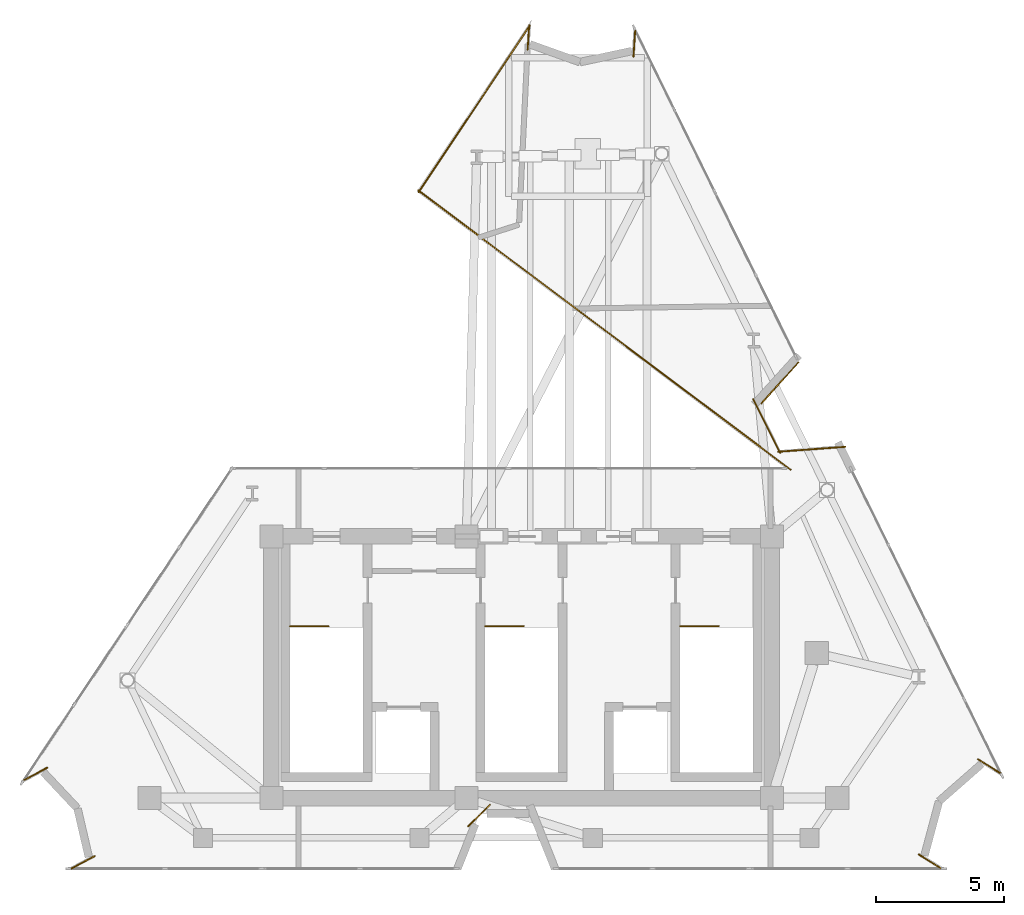
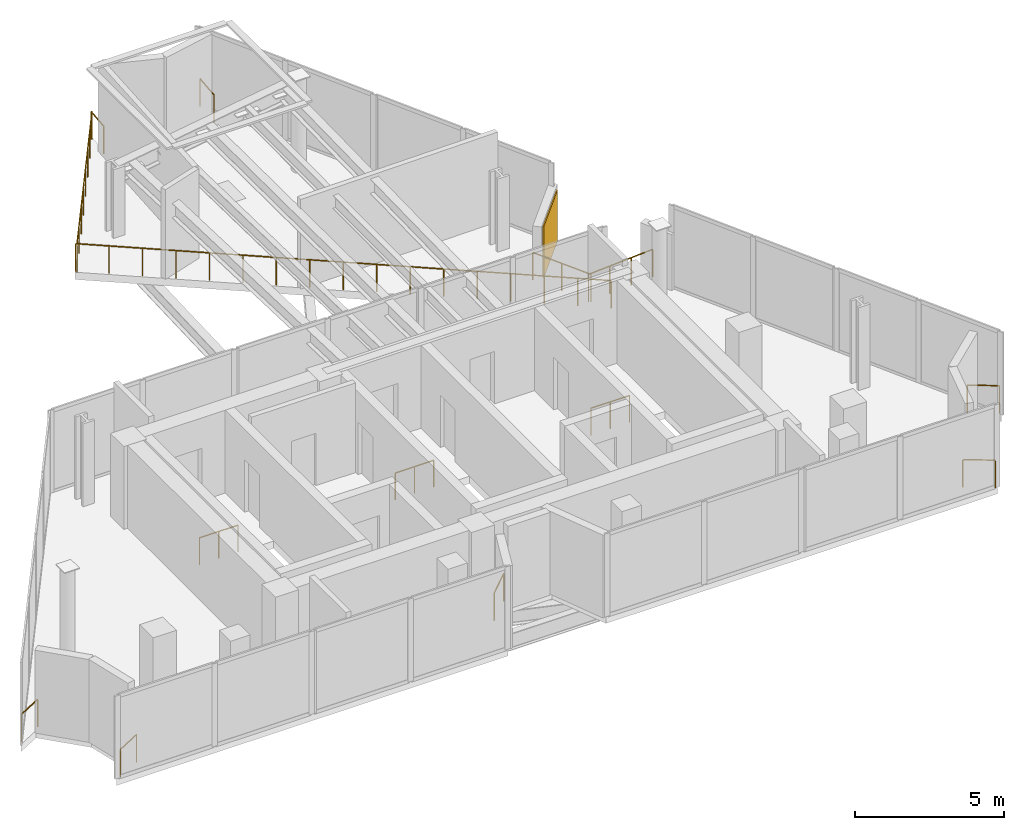
# One storey, part 7 of 7: 14 railings, 1 covering.
"""IFC4 building model written with IfcOpenShell, lengths in metres."""

import ifcopenshell
import ifcopenshell.guid

model = None  # the IFC model being written
_history = None  # IfcOwnerHistory: only IFC2X3 demands one
_inside = {}  # id of a spatial element -> (the spatial element, [elements in it])
_under = {}  # id of a project, library or spatial element -> (it, [spatial elements below it])
_declared = {}  # id of a project -> (the project, [libraries it declares])
_typed = {}  # id of a type object -> (the type object, [elements of that type])
_made_of = {}  # id of a material, layer set ... -> (it, [elements and type objects made of it])


def new_model(schema):
    """Start an empty IFC model of exactly this schema.

    Asked for "IFC4X3", IfcOpenShell would pick the latest addendum, in which some entities
    have other attributes; the version numbers below select the first issue.
    IFC2X3 requires an IfcOwnerHistory on every rooted entity: one is made here for all.
    """
    global model, _history
    if schema == "IFC4X3":
        model = ifcopenshell.file(schema_version=(4, 3, 0, 0))
    else:
        model = ifcopenshell.file(schema=schema)
    _inside.clear()
    _under.clear()
    _declared.clear()
    _typed.clear()
    _made_of.clear()
    _history = None
    if model.schema == "IFC2X3":
        org = make("IfcOrganization", Name="unknown")
        user = make(
            "IfcPersonAndOrganization",
            ThePerson=make("IfcPerson", FamilyName="unknown"),
            TheOrganization=org,
        )
        app = make(
            "IfcApplication",
            ApplicationDeveloper=org,
            Version="unknown",
            ApplicationFullName="unknown",
            ApplicationIdentifier="unknown",
        )
        _history = make(
            "IfcOwnerHistory",
            OwningUser=user,
            OwningApplication=app,
            ChangeAction="ADDED",
            CreationDate=0,
        )
    return model


def make(cls, **values):
    """One entity of the class cls with the attributes given. An attribute that is None is left unset."""
    return model.create_entity(
        cls, **{name: value for name, value in values.items() if value is not None}
    )


def rooted(cls, **values):
    """An entity with a GlobalId (a new one), such as an element, a storey or a relation."""
    return make(cls, GlobalId=ifcopenshell.guid.new(), OwnerHistory=_history, **values)


def si_unit(unit_type, name, prefix=None):
    """IfcSIUnit, for example si_unit("LENGTHUNIT", "METRE", prefix="MILLI")."""
    return make("IfcSIUnit", UnitType=unit_type, Prefix=prefix, Name=name)


def assignment(units):
    """IfcUnitAssignment: the units of a project."""
    return None if units is None else make("IfcUnitAssignment", Units=units)


def point(xyz):
    """IfcCartesianPoint."""
    return None if xyz is None else make("IfcCartesianPoint", Coordinates=xyz)


def direction(xyz):
    """IfcDirection."""
    return None if xyz is None else make("IfcDirection", DirectionRatios=xyz)


def frame(location, z_axis=None, x_axis=None):
    """IfcAxis2Placement3D, a coordinate frame: its origin and axes. An axis left out is left unset."""
    return make(
        "IfcAxis2Placement3D",
        Location=point(location),
        Axis=direction(z_axis),
        RefDirection=direction(x_axis),
    )


def frame_2d(location, x_axis=None):
    """IfcAxis2Placement2D, a coordinate frame in the plane: its origin and x axis."""
    return make(
        "IfcAxis2Placement2D", Location=point(location), RefDirection=direction(x_axis)
    )


def origin():
    """The frame at (0, 0, 0) with its axes left unset."""
    return frame((0.0, 0.0, 0.0))


def origin_2d():
    """The frame at (0, 0) in the plane with its x axis left unset."""
    return frame_2d((0.0, 0.0))


def place(relative_to, where):
    """IfcLocalPlacement: puts the frame where relative to a parent placement (None: the world)."""
    return make(
        "IfcLocalPlacement", PlacementRelTo=relative_to, RelativePlacement=where
    )


def context(
    kind, dimensions, precision=None, world=None, true_north=None, identifier=None
):
    """IfcGeometricRepresentationContext, for example the 3D "Model" context."""
    return make(
        "IfcGeometricRepresentationContext",
        ContextIdentifier=identifier,
        ContextType=kind,
        CoordinateSpaceDimension=dimensions,
        Precision=precision,
        WorldCoordinateSystem=world,
        TrueNorth=true_north,
    )


def subcontext(parent, identifier, kind, view, scale=None):
    """IfcGeometricRepresentationSubContext, for example "Body" below "Model"."""
    return make(
        "IfcGeometricRepresentationSubContext",
        ContextIdentifier=identifier,
        ContextType=kind,
        ParentContext=parent,
        TargetScale=scale,
        TargetView=view,
    )


def project(units=None, contexts=None):
    """IfcProject with its units and contexts."""
    return rooted(
        "IfcProject",
        Name="project",
        RepresentationContexts=contexts,
        UnitsInContext=assignment(units),
    )


def spatial(cls, under=None, at=None, **own):
    """A site, building, storey or space (cls), placed at a placement, below another one or the project."""
    s = rooted(cls, ObjectPlacement=at, **own)
    if under is not None:
        _under.setdefault(under.id(), (under, []))[1].append(s)
    return s


def profile(cls, at=None, kind="AREA", **sizes):
    """A parametric profile (cls). Its sizes go by their IFC names, for example OverallWidth=200.0."""
    return make(cls, ProfileType=kind, Position=at, **sizes)


def rectangle(**sizes):
    """IfcRectangleProfileDef."""
    return profile("IfcRectangleProfileDef", **sizes)


def circle(**sizes):
    """IfcCircleProfileDef."""
    return profile("IfcCircleProfileDef", **sizes)


def extrude(swept, where, along, depth):
    """IfcExtrudedAreaSolid: the profile swept, set in the frame where, extruded along a direction by depth."""
    return make(
        "IfcExtrudedAreaSolid",
        SweptArea=swept,
        Position=where,
        ExtrudedDirection=direction(along),
        Depth=depth,
    )


def shape(context_of_items, identifier, shape_type, items):
    """IfcShapeRepresentation: the items that make up one representation, for example the "Body"."""
    return make(
        "IfcShapeRepresentation",
        ContextOfItems=context_of_items,
        RepresentationIdentifier=identifier,
        RepresentationType=shape_type,
        Items=items,
    )


def material(Name=None, Category=None):
    """IfcMaterial."""
    return make("IfcMaterial", Name=Name, Category=Category)


def layer(
    of_material, thickness, ventilated=None, Name=None, Category=None, Priority=None
):
    """IfcMaterialLayer: one layer of a wall or slab, of a material (None: an air gap)."""
    return make(
        "IfcMaterialLayer",
        Material=of_material,
        LayerThickness=thickness,
        IsVentilated=ventilated,
        Name=Name,
        Category=Category,
        Priority=Priority,
    )


def layer_set(layers, Name=None):
    """IfcMaterialLayerSet."""
    return make("IfcMaterialLayerSet", MaterialLayers=layers, LayerSetName=Name)


def made_of(thing, what):
    """Note that an element or type object is made of a material, layer set ...; save() writes the relation."""
    if what is not None:
        _made_of.setdefault(what.id(), (what, []))[1].append(thing)
    return thing


def type_object(cls, material=None, **own):
    """A type object (cls), such as IfcWallType, which elements share."""
    return made_of(rooted(cls, **own), material)


def element(
    cls,
    number,
    at=None,
    inside=None,
    cuts=None,
    type_object=None,
    material=None,
    context=None,
    identifier="Body",
    shape_type=None,
    held_by="IfcProductDefinitionShape",
    body=None,
    shapes=None,
    **own,
):
    """One element of the class cls, such as IfcWall. Its Tag is "e" and its number.

    at: its placement. inside: the storey or other place that contains it. cuts: it is an
    opening in that element (IfcRelVoidsElement). A single representation is given by context,
    identifier, shape_type and body (its items); several are given by shapes. held_by: the class
    of the entity that holds the representations. save() writes the other relations.
    """
    e = rooted(cls, Tag="e%d" % number, ObjectPlacement=at, **own)
    if body is not None:
        shapes = [shape(context, identifier, shape_type, body)]
    if shapes is not None:
        e.Representation = make(held_by, Representations=shapes)
    if inside is not None:
        _inside.setdefault(inside.id(), (inside, []))[1].append(e)
    if cuts is not None:
        rooted(
            "IfcRelVoidsElement", RelatingBuildingElement=cuts, RelatedOpeningElement=e
        )
    if type_object is not None:
        _typed.setdefault(type_object.id(), (type_object, []))[1].append(e)
    return made_of(e, material)


def aggregate(whole, parts):
    """IfcRelAggregates: a whole, such as a stair, and the parts it consists of."""
    return rooted("IfcRelAggregates", RelatingObject=whole, RelatedObjects=parts)


def save(model, path):
    """Write the relations noted so far, then the file.

    IfcRelAggregates (storeys below a building ...), IfcRelContainedInSpatialStructure (elements
    in a storey), IfcRelDefinesByType, IfcRelAssociatesMaterial and IfcRelDeclares: one each for
    every whole, place, type object, material and project.
    """
    for whole, parts in _under.values():
        aggregate(whole, parts)
    for where, things in _inside.values():
        rooted(
            "IfcRelContainedInSpatialStructure",
            RelatedElements=things,
            RelatingStructure=where,
        )
    for kind, things in _typed.values():
        rooted("IfcRelDefinesByType", RelatedObjects=things, RelatingType=kind)
    for what, things in _made_of.values():
        rooted("IfcRelAssociatesMaterial", RelatedObjects=things, RelatingMaterial=what)
    for by, libraries in _declared.values():
        rooted("IfcRelDeclares", RelatingContext=by, RelatedDefinitions=libraries)
    model.write(path)


model = new_model("IFC4")

# Units and contexts
model_context = context("Model", 3, precision=1e-05, world=origin(), true_north=direction((0.0, 1.0)))
body_context = subcontext(model_context, "Body", "Model", "MODEL_VIEW")
ifc_project = project(units=[si_unit("LENGTHUNIT", "METRE"), si_unit("AREAUNIT", "SQUARE_METRE"), si_unit("VOLUMEUNIT", "CUBIC_METRE"), si_unit("PLANEANGLEUNIT", "RADIAN"), si_unit("MASSUNIT", "GRAM", prefix="KILO")], contexts=[model_context])

# Site, building, storey
site_placement = place(None, origin())
site = spatial("IfcSite", under=ifc_project, at=site_placement, CompositionType="ELEMENT")
building_placement = place(site_placement, origin())
building = spatial("IfcBuilding", under=site, at=building_placement, Name="Almagre Mirador Tower", CompositionType="ELEMENT")
storey_placement = place(building_placement, frame((0.0, 0.0, 318.5)))
storey = spatial("IfcBuildingStorey", under=building, at=storey_placement, Name="L82", CompositionType="ELEMENT", Elevation=318.5)

# Covering
ifc_material_1 = material(Name="Almagre terracotta architectural cladding", Category="masonry")
ifc_layer = layer(ifc_material_1, 0.044921875)
ifc_layer_set = layer_set([ifc_layer], Name="Almagre terracotta architectural cladding")
covering_type = type_object("IfcCoveringType", Name="COV-CLAD-ALMAGRE", PredefinedType="CLADDING", material=ifc_layer_set)
covering_placement = place(storey_placement, frame((47.3662109375, 20.733642578125, 0.099853515625), z_axis=(0.0, 0.0, 1.0), x_axis=(-0.670789136688, -0.741648120136, 0.0)))
element("IfcCovering", 1, at=covering_placement, inside=storey, type_object=covering_type, Name="L82 almagre terracotta pier cladding", PredefinedType="CLADDING", context=body_context, shape_type="SweptSolid", body=[
    extrude(rectangle(XDim=2.18701171875, YDim=0.044921875, at=origin_2d()), origin(), (0.0, 0.0, 1.0), 2.10009765625),
])

# Railings
ifc_material_2 = material(Name="Black anodized aluminium", Category="aluminium")
railing_type_1 = type_object("IfcRailingType", Name="RLG-BAL-1150", PredefinedType="BALUSTRADE", material=ifc_material_2)
railing_1_placement = place(storey_placement, frame((47.78076171875, 17.35205078125, 0.0)))
element("IfcRailing", 2, at=railing_1_placement, inside=storey, type_object=railing_type_1, Name="L82 perimeter edge balustrade 01", PredefinedType="BALUSTRADE", context=body_context, shape_type="SweptSolid", body=[
    extrude(circle(Radius=0.02392578125, at=origin_2d()), frame((0.0, 0.0, 1.1259765625), z_axis=(-0.800003230693, 0.599995692385, 0.0), x_axis=(-0.599995692385, -0.800003230693, 0.0)), (0.0, 0.0, 1.0), 18.136474609375),
    extrude(circle(Radius=0.02099609375, at=origin_2d()), origin(), (0.0, 0.0, 1.0), 1.101806640625),
    extrude(circle(Radius=0.02099609375, at=origin_2d()), frame((-0.90673828125, 0.68017578125, 0.0)), (0.0, 0.0, 1.0), 1.101806640625),
    extrude(circle(Radius=0.02099609375, at=origin_2d()), frame((-1.813720703125, 1.3603515625, 0.0)), (0.0, 0.0, 1.0), 1.101806640625),
    extrude(circle(Radius=0.02099609375, at=origin_2d()), frame((-2.720458984375, 2.040283203125, 0.0)), (0.0, 0.0, 1.0), 1.101806640625),
    extrude(circle(Radius=0.02099609375, at=origin_2d()), frame((-3.62744140625, 2.720458984375, 0.0)), (0.0, 0.0, 1.0), 1.101806640625),
    extrude(circle(Radius=0.02099609375, at=origin_2d()), frame((-4.5341796875, 3.400634765625, 0.0)), (0.0, 0.0, 1.0), 1.101806640625),
    extrude(circle(Radius=0.02099609375, at=origin_2d()), frame((-5.44091796875, 4.08056640625, 0.0)), (0.0, 0.0, 1.0), 1.101806640625),
    extrude(circle(Radius=0.02099609375, at=origin_2d()), frame((-6.347900390625, 4.7607421875, 0.0)), (0.0, 0.0, 1.0), 1.101806640625),
    extrude(circle(Radius=0.02099609375, at=origin_2d()), frame((-7.254638671875, 5.44091796875, 0.0)), (0.0, 0.0, 1.0), 1.101806640625),
    extrude(circle(Radius=0.02099609375, at=origin_2d()), frame((-8.161376953125, 6.12109375, 0.0)), (0.0, 0.0, 1.0), 1.101806640625),
    extrude(circle(Radius=0.02099609375, at=origin_2d()), frame((-9.068359375, 6.80126953125, 0.0)), (0.0, 0.0, 1.0), 1.101806640625),
    extrude(circle(Radius=0.02099609375, at=origin_2d()), frame((-9.97509765625, 7.481201171875, 0.0)), (0.0, 0.0, 1.0), 1.101806640625),
    extrude(circle(Radius=0.02099609375, at=origin_2d()), frame((-10.8818359375, 8.161376953125, 0.0)), (0.0, 0.0, 1.0), 1.101806640625),
    extrude(circle(Radius=0.02099609375, at=origin_2d()), frame((-11.788818359375, 8.841552734375, 0.0)), (0.0, 0.0, 1.0), 1.101806640625),
    extrude(circle(Radius=0.02099609375, at=origin_2d()), frame((-12.695556640625, 9.521484375, 0.0)), (0.0, 0.0, 1.0), 1.101806640625),
    extrude(circle(Radius=0.02099609375, at=origin_2d()), frame((-13.6025390625, 10.20166015625, 0.0)), (0.0, 0.0, 1.0), 1.101806640625),
    extrude(circle(Radius=0.02099609375, at=origin_2d()), frame((-14.50927734375, 10.8818359375, 0.0)), (0.0, 0.0, 1.0), 1.101806640625),
])
railing_2_placement = place(storey_placement, frame((33.28369140625, 28.162353515625, 0.0)))
element("IfcRailing", 3, at=railing_2_placement, inside=storey, type_object=railing_type_1, Name="L82 perimeter edge balustrade 02", PredefinedType="BALUSTRADE", context=body_context, shape_type="SweptSolid", body=[
    extrude(circle(Radius=0.02392578125, at=origin_2d()), frame((0.0, 0.0, 1.1259765625), z_axis=(0.555190652892, 0.831723114349, 0.0), x_axis=(-0.831723114349, 0.555190652892, 0.0)), (0.0, 0.0, 1.0), 7.809814453125),
    extrude(circle(Radius=0.02099609375, at=origin_2d()), origin(), (0.0, 0.0, 1.0), 1.101806640625),
    extrude(circle(Radius=0.02099609375, at=origin_2d()), frame((0.619384765625, 0.927978515625, 0.0)), (0.0, 0.0, 1.0), 1.101806640625),
    extrude(circle(Radius=0.02099609375, at=origin_2d()), frame((1.23876953125, 1.85595703125, 0.0)), (0.0, 0.0, 1.0), 1.101806640625),
    extrude(circle(Radius=0.02099609375, at=origin_2d()), frame((1.858154296875, 2.783935546875, 0.0)), (0.0, 0.0, 1.0), 1.101806640625),
    extrude(circle(Radius=0.02099609375, at=origin_2d()), frame((2.477783203125, 3.711669921875, 0.0)), (0.0, 0.0, 1.0), 1.101806640625),
    extrude(circle(Radius=0.02099609375, at=origin_2d()), frame((3.09716796875, 4.6396484375, 0.0)), (0.0, 0.0, 1.0), 1.101806640625),
    extrude(circle(Radius=0.02099609375, at=origin_2d()), frame((3.716552734375, 5.567626953125, 0.0)), (0.0, 0.0, 1.0), 1.101806640625),
    extrude(circle(Radius=0.02099609375, at=origin_2d()), frame((4.3359375, 6.49560546875, 0.0)), (0.0, 0.0, 1.0), 1.101806640625),
])
railing_3_placement = place(storey_placement, frame((37.59521484375, 34.666259765625, 0.0)))
element("IfcRailing", 4, at=railing_3_placement, inside=storey, type_object=railing_type_1, Name="L82 perimeter edge balustrade 03", PredefinedType="BALUSTRADE", context=body_context, shape_type="SweptSolid", body=[
    extrude(circle(Radius=0.02392578125, at=origin_2d()), frame((0.0, 0.0, 1.1259765625), z_axis=(-0.065583786617, -0.997847065904, 0.0), x_axis=(0.997847065904, -0.065583786617, 0.0)), (0.0, 0.0, 1.0), 0.952880859375),
    extrude(circle(Radius=0.02099609375, at=origin_2d()), origin(), (0.0, 0.0, 1.0), 1.101806640625),
    extrude(circle(Radius=0.02099609375, at=origin_2d()), frame((-0.0625, -0.950927734375, 0.0)), (0.0, 0.0, 1.0), 1.101806640625),
])
railing_4_placement = place(storey_placement, frame((41.658447265625, 33.444091796875, 0.0)))
element("IfcRailing", 5, at=railing_4_placement, inside=storey, type_object=railing_type_1, Name="L82 perimeter edge balustrade 04", PredefinedType="BALUSTRADE", context=body_context, shape_type="SweptSolid", body=[
    extrude(circle(Radius=0.02392578125, at=origin_2d()), frame((0.0, 0.0, 1.1259765625), z_axis=(0.065695707922, 0.99783970354, 0.0), x_axis=(-0.99783970354, 0.065695707922, 0.0)), (0.0, 0.0, 1.0), 1.062744140625),
    extrude(circle(Radius=0.02099609375, at=origin_2d()), origin(), (0.0, 0.0, 1.0), 1.101806640625),
    extrude(circle(Radius=0.02099609375, at=origin_2d()), frame((0.06982421875, 1.060546875, 0.0)), (0.0, 0.0, 1.0), 1.101806640625),
])
railing_5_placement = place(storey_placement, frame((46.32421875, 20.099609375, 0.0)))
element("IfcRailing", 6, at=railing_5_placement, inside=storey, type_object=railing_type_1, Name="L82 perimeter edge balustrade 05", PredefinedType="BALUSTRADE", context=body_context, shape_type="SweptSolid", body=[
    extrude(circle(Radius=0.02392578125, at=origin_2d()), frame((0.0, 0.0, 1.1259765625), z_axis=(0.448423167382, -0.893821382019, 0.0), x_axis=(0.893821382019, 0.448423167382, 0.0)), (0.0, 0.0, 1.0), 2.340576171875),
    extrude(circle(Radius=0.02099609375, at=origin_2d()), origin(), (0.0, 0.0, 1.0), 1.101806640625),
    extrude(circle(Radius=0.02099609375, at=origin_2d()), frame((0.52490234375, -1.0458984375, 0.0)), (0.0, 0.0, 1.0), 1.101806640625),
    extrude(circle(Radius=0.02099609375, at=origin_2d()), frame((1.049560546875, -2.092041015625, 0.0)), (0.0, 0.0, 1.0), 1.101806640625),
])
railing_6_placement = place(storey_placement, frame((47.301513671875, 18.048583984375, 0.0)))
element("IfcRailing", 7, at=railing_6_placement, inside=storey, type_object=railing_type_1, Name="L82 perimeter edge balustrade 06", PredefinedType="BALUSTRADE", context=body_context, shape_type="SweptSolid", body=[
    extrude(circle(Radius=0.02392578125, at=origin_2d()), frame((0.0, 0.0, 1.1259765625), z_axis=(0.997312447463, 0.073265831973, 0.0), x_axis=(-0.073265831973, 0.997312447463, 0.0)), (0.0, 0.0, 1.0), 2.612548828125),
    extrude(circle(Radius=0.02099609375, at=origin_2d()), origin(), (0.0, 0.0, 1.0), 1.101806640625),
    extrude(circle(Radius=0.02099609375, at=origin_2d()), frame((0.868408203125, 0.063720703125, 0.0)), (0.0, 0.0, 1.0), 1.101806640625),
    extrude(circle(Radius=0.02099609375, at=origin_2d()), frame((1.737060546875, 0.127685546875, 0.0)), (0.0, 0.0, 1.0), 1.101806640625),
    extrude(circle(Radius=0.02099609375, at=origin_2d()), frame((2.60546875, 0.19140625, 0.0)), (0.0, 0.0, 1.0), 1.101806640625),
])
railing_7_placement = place(storey_placement, frame((56.009521484375, 5.4873046875, 0.0)))
element("IfcRailing", 8, at=railing_7_placement, inside=storey, type_object=railing_type_1, Name="L82 perimeter edge balustrade 07", PredefinedType="BALUSTRADE", context=body_context, shape_type="SweptSolid", body=[
    extrude(circle(Radius=0.02392578125, at=origin_2d()), frame((0.0, 0.0, 1.1259765625), z_axis=(-0.848563401063, 0.529093710391, 0.0), x_axis=(-0.529093710391, -0.848563401063, 0.0)), (0.0, 0.0, 1.0), 1.09130859375),
    extrude(circle(Radius=0.02099609375, at=origin_2d()), origin(), (0.0, 0.0, 1.0), 1.101806640625),
    extrude(circle(Radius=0.02099609375, at=origin_2d()), frame((-0.926025390625, 0.577392578125, 0.0)), (0.0, 0.0, 1.0), 1.101806640625),
])
railing_8_placement = place(storey_placement, frame((52.7744140625, 2.355712890625, 0.0)))
element("IfcRailing", 9, at=railing_8_placement, inside=storey, type_object=railing_type_1, Name="L82 perimeter edge balustrade 08", PredefinedType="BALUSTRADE", context=body_context, shape_type="SweptSolid", body=[
    extrude(circle(Radius=0.02392578125, at=origin_2d()), frame((0.0, 0.0, 1.1259765625), z_axis=(0.849027604088, -0.528348490578, 0.0), x_axis=(0.528348490578, 0.849027604088, 0.0)), (0.0, 0.0, 1.0), 1.091064453125),
    extrude(circle(Radius=0.02099609375, at=origin_2d()), origin(), (0.0, 0.0, 1.0), 1.101806640625),
    extrude(circle(Radius=0.02099609375, at=origin_2d()), frame((0.92626953125, -0.576416015625, 0.0)), (0.0, 0.0, 1.0), 1.101806640625),
])
railing_9_placement = place(storey_placement, frame((36.066162109375, 4.285400390625, 0.0)))
element("IfcRailing", 10, at=railing_9_placement, inside=storey, type_object=railing_type_1, Name="L82 perimeter edge balustrade 09", PredefinedType="BALUSTRADE", context=body_context, shape_type="SweptSolid", body=[
    extrude(circle(Radius=0.02392578125, at=origin_2d()), frame((0.0, 0.0, 1.1259765625), z_axis=(-0.715490957724, -0.698621993223, 0.0), x_axis=(0.698621993223, -0.715490957724, 0.0)), (0.0, 0.0, 1.0), 1.186767578125),
    extrude(circle(Radius=0.02099609375, at=origin_2d()), origin(), (0.0, 0.0, 1.0), 1.101806640625),
    extrude(circle(Radius=0.02099609375, at=origin_2d()), frame((-0.84912109375, -0.8291015625, 0.0)), (0.0, 0.0, 1.0), 1.101806640625),
])
railing_10_placement = place(storey_placement, frame((19.74951171875, 1.800537109375, 0.0)))
element("IfcRailing", 11, at=railing_10_placement, inside=storey, type_object=railing_type_1, Name="L82 perimeter edge balustrade 10", PredefinedType="BALUSTRADE", context=body_context, shape_type="SweptSolid", body=[
    extrude(circle(Radius=0.02392578125, at=origin_2d()), frame((0.0, 0.0, 1.1259765625), z_axis=(0.881494030228, 0.472195165871, 0.0), x_axis=(-0.472195165871, 0.881494030228, 0.0)), (0.0, 0.0, 1.0), 1.032470703125),
    extrude(circle(Radius=0.02099609375, at=origin_2d()), origin(), (0.0, 0.0, 1.0), 1.101806640625),
    extrude(circle(Radius=0.02099609375, at=origin_2d()), frame((0.91015625, 0.487548828125, 0.0)), (0.0, 0.0, 1.0), 1.101806640625),
])
railing_11_placement = place(storey_placement, frame((18.814697265625, 5.7373046875, 0.0)))
element("IfcRailing", 12, at=railing_11_placement, inside=storey, type_object=railing_type_1, Name="L82 perimeter edge balustrade 11", PredefinedType="BALUSTRADE", context=body_context, shape_type="SweptSolid", body=[
    extrude(circle(Radius=0.02392578125, at=origin_2d()), frame((0.0, 0.0, 1.1259765625), z_axis=(-0.881985926768, -0.471275741985, 0.0), x_axis=(0.471275741985, -0.881985926768, 0.0)), (0.0, 0.0, 1.0), 1.031982421875),
    extrude(circle(Radius=0.02099609375, at=origin_2d()), origin(), (0.0, 0.0, 1.0), 1.101806640625),
    extrude(circle(Radius=0.02099609375, at=origin_2d()), frame((-0.91015625, -0.486328125, 0.0)), (0.0, 0.0, 1.0), 1.101806640625),
])
ifc_material_3 = material(Name="Painted galvanized steel", Category="steel")
railing_type_2 = type_object("IfcRailingType", Name="RLG-GRD-1100", PredefinedType="GUARDRAIL", material=ifc_material_3)
for number, where, name in (
    (13, (28.27490234375, 11.25, 0.0), "L82 ST-1 top well guard 1"),
    (14, (35.875, 11.25, 0.0), "L82 ST-2 top well guard 1"),
    (15, (43.47509765625, 11.25, 0.0), "L82 ST-3 top well guard 1"),
):
    element("IfcRailing", number, at=place(storey_placement, frame(where)), inside=storey, type_object=railing_type_2, Name=name, PredefinedType="GUARDRAIL", context=body_context, shape_type="SweptSolid", body=[
        extrude(circle(Radius=0.02392578125, at=origin_2d()), frame((0.0, 0.0, 1.09619140625), z_axis=(1.0, 0.0, 0.0), x_axis=(0.0, 1.0, 0.0)), (0.0, 0.0, 1.0), 1.5),
        extrude(circle(Radius=0.02099609375, at=origin_2d()), origin(), (0.0, 0.0, 1.0), 1.072021484375),
        extrude(circle(Radius=0.02099609375, at=origin_2d()), frame((0.75, 0.0, 0.0)), (0.0, 0.0, 1.0), 1.072021484375),
        extrude(circle(Radius=0.02099609375, at=origin_2d()), frame((1.5, 0.0, 0.0)), (0.0, 0.0, 1.0), 1.072021484375),
    ])

save(model, "model.ifc")
